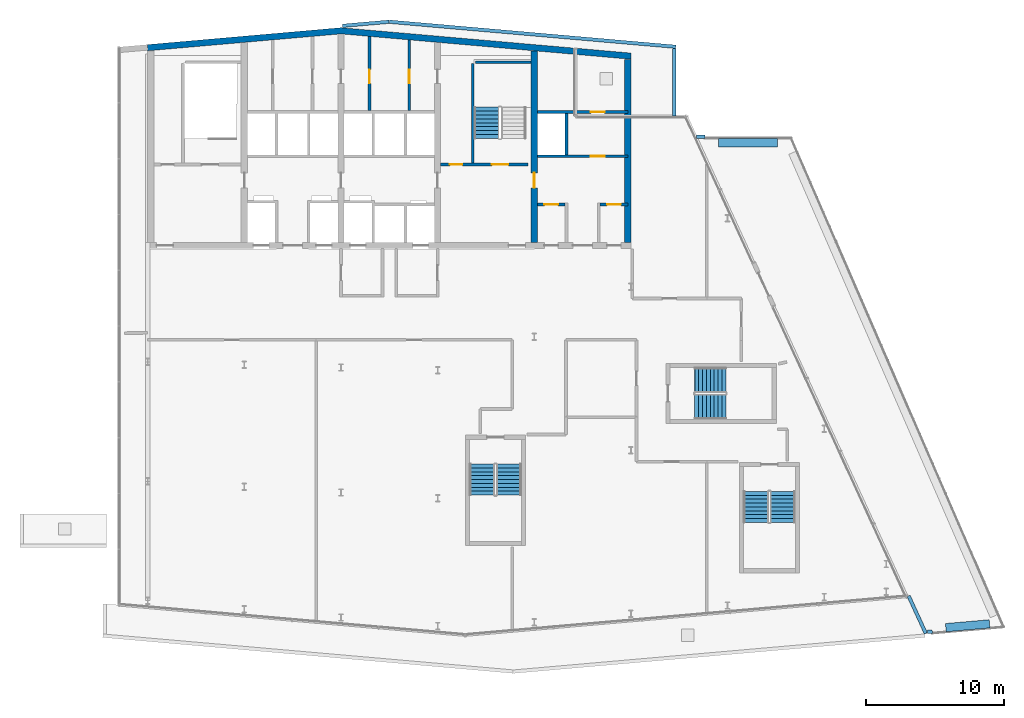
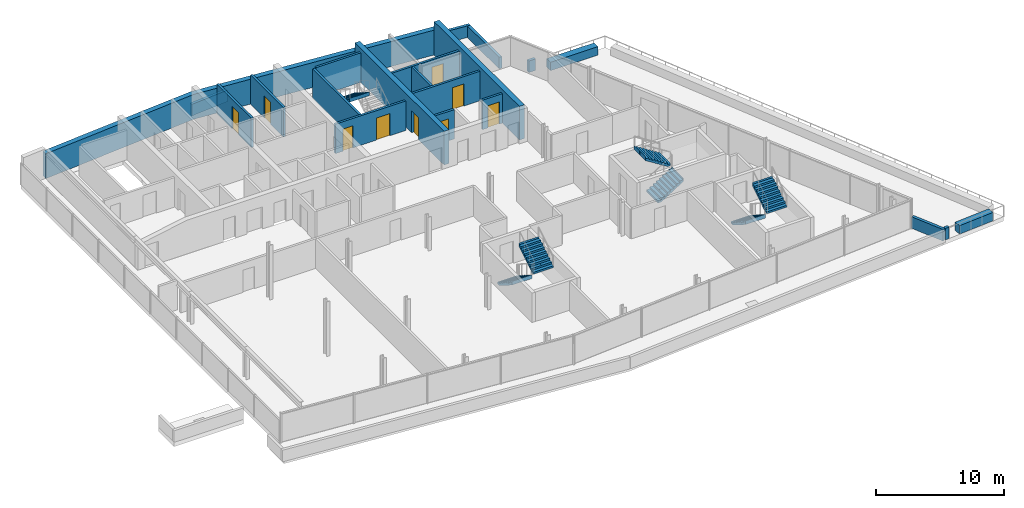
# One storey, part 13 of 17: 21 walls, 9 doors, 7 stair flights, 9 openings, 4 elements without a shape of their own.
"""IFC4 building model written with IfcOpenShell, lengths in metres."""

from ifc_helpers import new_model, si_unit, direction, frame, frame_2d, origin, place, context, subcontext, project, spatial, polyline, rectangle, outline, extrude, material, layer, layer_set, type_object, element, fill, aggregate, save


model = new_model("IFC4")

# Units and contexts
model_context = context("Model", 3, precision=1e-05, world=origin(), true_north=direction((0.0, 1.0)))
body_context = subcontext(model_context, "Body", "Model", "MODEL_VIEW")
ifc_project = project(units=[si_unit("LENGTHUNIT", "METRE"), si_unit("AREAUNIT", "SQUARE_METRE"), si_unit("VOLUMEUNIT", "CUBIC_METRE"), si_unit("PLANEANGLEUNIT", "RADIAN"), si_unit("MASSUNIT", "GRAM", prefix="KILO")], contexts=[model_context])

# Site, building, storey
site_placement = place(None, origin())
site = spatial("IfcSite", under=ifc_project, at=site_placement, CompositionType="ELEMENT")
building_placement = place(site_placement, origin())
building = spatial("IfcBuilding", under=site, at=building_placement, Name="Wharfspan Tower", CompositionType="ELEMENT")
storey_placement = place(building_placement, frame((0.0, 0.0, 261.100098)))
storey = spatial("IfcBuildingStorey", under=building, at=storey_placement, Name="L66", CompositionType="ELEMENT", Elevation=261.100098)

# Wall, opening, door
ifc_material_1 = material(Name="Calcium silicate masonry", Category="masonry")
ifc_layer_1 = layer(ifc_material_1, 0.199951)
ifc_layer_set_1 = layer_set([ifc_layer_1], Name="Calcium silicate masonry")
wall_type_1 = type_object("IfcWallType", Name="Core room wall 200", PredefinedType="PARTITIONING", material=ifc_layer_set_1)
wall_1_placement = place(storey_placement, frame((39.059082, 44.0, 0.0), z_axis=(0.0, 0.0, 1.0), x_axis=(0.0, 1.0, 0.0)))
wall_1 = element("IfcWall", 1, at=wall_1_placement, inside=storey, type_object=wall_type_1, Name="sw:L66:RP4.1", PredefinedType="PARTITIONING", context=body_context, shape_type="SweptSolid", body=[
    extrude(rectangle(XDim=5.360352, YDim=0.199951, at=frame_2d((2.680176, 0.0))), origin(), (0.0, 0.0, 1.0), 2.799805),
])
opening_1_placement = place(wall_1_placement, frame((1.973877, 0.0, 0.0)))
opening_1 = element("IfcOpeningElement", 2, at=opening_1_placement, cuts=wall_1, Name="Opening CD66.4P1", PredefinedType="OPENING", context=body_context, shape_type="SweptSolid", body=[
    extrude(rectangle(XDim=1.0, YDim=2.100098, at=frame_2d((0.5, 1.050049))), frame((0.0, 0.109863, 0.0), z_axis=(0.0, -1.0, 0.0), x_axis=(1.0, 0.0, 0.0)), (0.0, 0.0, 1.0), 0.219971),
])
ifc_material_2 = material(Name="Steel door leaf", Category="steel")
door_type_1 = type_object("IfcDoorType", Name="Core room door 1000x2100", OperationType="SINGLE_SWING_LEFT", PredefinedType="DOOR", material=ifc_material_2)
door_1_placement = place(opening_1_placement, origin())
door_1 = element("IfcDoor", 3, at=door_1_placement, inside=storey, type_object=door_type_1, Name="d:L66:4:rp1", OperationType="SINGLE_SWING_LEFT", OverallHeight=2.100098, OverallWidth=1.0, PredefinedType="DOOR", context=body_context, shape_type="SweptSolid", body=[
    extrude(rectangle(XDim=1.0, YDim=2.100098, at=frame_2d((0.5, 1.050049))), frame((0.0, 0.024902, 0.0), z_axis=(0.0, -1.0, 0.0), x_axis=(1.0, 0.0, 0.0)), (0.0, 0.0, 1.0), 0.050049),
])
fill(opening_1, door_1)

wall_2_placement = place(storey_placement, frame((41.940918, 44.0, 0.0), z_axis=(0.0, 0.0, 1.0), x_axis=(0.0, 1.0, 0.0)))
wall_2 = element("IfcWall", 4, at=wall_2_placement, inside=storey, type_object=wall_type_1, Name="sw:L66:RP4.2", PredefinedType="PARTITIONING", context=body_context, shape_type="SweptSolid", body=[
    extrude(rectangle(XDim=5.108154, YDim=0.199951, at=frame_2d((2.554199, 0.0))), origin(), (0.0, 0.0, 1.0), 2.799805),
])
opening_2_placement = place(wall_2_placement, frame((1.973877, 0.0, 0.0)))
opening_2 = element("IfcOpeningElement", 5, at=opening_2_placement, cuts=wall_2, Name="Opening CD66.4P2", PredefinedType="OPENING", context=body_context, shape_type="SweptSolid", body=[
    extrude(rectangle(XDim=1.0, YDim=2.100098, at=frame_2d((0.5, 1.050049))), frame((0.0, 0.109863, 0.0), z_axis=(0.0, -1.0, 0.0), x_axis=(1.0, 0.0, 0.0)), (0.0, 0.0, 1.0), 0.219971),
])
door_2_placement = place(opening_2_placement, origin())
door_2 = element("IfcDoor", 6, at=door_2_placement, inside=storey, type_object=door_type_1, Name="d:L66:4:rp2", OperationType="SINGLE_SWING_LEFT", OverallHeight=2.100098, OverallWidth=1.0, PredefinedType="DOOR", context=body_context, shape_type="SweptSolid", body=[
    extrude(rectangle(XDim=1.0, YDim=2.100098, at=frame_2d((0.5, 1.050049))), frame((0.0, 0.024902, 0.0), z_axis=(0.0, -1.0, 0.0), x_axis=(1.0, 0.0, 0.0)), (0.0, 0.0, 1.0), 0.050049),
])
fill(opening_2, door_2)

wall_3_placement = place(storey_placement, frame((51.225098, 37.199951, 0.0), z_axis=(0.0, 0.0, 1.0), x_axis=(1.0, 0.0, 0.0)))
wall_3 = element("IfcWall", 7, at=wall_3_placement, inside=storey, type_object=wall_type_1, Name="sw:L66:FR6.1", PredefinedType="PARTITIONING", context=body_context, shape_type="SweptSolid", body=[
    extrude(rectangle(XDim=2.008301, YDim=0.199951, at=frame_2d((1.00415, 0.0))), origin(), (0.0, 0.0, 1.0), 2.799805),
])
opening_3_placement = place(wall_3_placement, frame((0.50415, 0.0, 0.0)))
opening_3 = element("IfcOpeningElement", 8, at=opening_3_placement, cuts=wall_3, Name="Opening CD66.6H1", PredefinedType="OPENING", context=body_context, shape_type="SweptSolid", body=[
    extrude(rectangle(XDim=1.0, YDim=2.100098, at=frame_2d((0.5, 1.050049))), frame((0.0, 0.109863, 0.0), z_axis=(0.0, -1.0, 0.0), x_axis=(1.0, 0.0, 0.0)), (0.0, 0.0, 1.0), 0.219971),
])
door_3_placement = place(opening_3_placement, origin())
door_3 = element("IfcDoor", 9, at=door_3_placement, inside=storey, type_object=door_type_1, Name="d:L66:6:fh6.1", OperationType="SINGLE_SWING_RIGHT", OverallHeight=2.100098, OverallWidth=1.0, PredefinedType="DOOR", context=body_context, shape_type="SweptSolid", body=[
    extrude(rectangle(XDim=1.0, YDim=2.100098, at=frame_2d((0.5, 1.050049))), frame((0.0, 0.024902, 0.0), z_axis=(0.0, -1.0, 0.0), x_axis=(1.0, 0.0, 0.0)), (0.0, 0.0, 1.0), 0.050049),
])
fill(opening_3, door_3)

wall_4_placement = place(storey_placement, frame((55.766602, 37.199951, 0.0), z_axis=(0.0, 0.0, 1.0), x_axis=(1.0, 0.0, 0.0)))
wall_4 = element("IfcWall", 10, at=wall_4_placement, inside=storey, type_object=wall_type_1, Name="sw:L66:FR6.3", PredefinedType="PARTITIONING", context=body_context, shape_type="SweptSolid", body=[
    extrude(rectangle(XDim=2.008301, YDim=0.199951, at=frame_2d((1.00415, 0.0))), origin(), (0.0, 0.0, 1.0), 2.799805),
])
opening_4_placement = place(wall_4_placement, frame((0.50415, 0.0, 0.0)))
opening_4 = element("IfcOpeningElement", 11, at=opening_4_placement, cuts=wall_4, Name="Opening CD66.6H3", PredefinedType="OPENING", context=body_context, shape_type="SweptSolid", body=[
    extrude(rectangle(XDim=1.0, YDim=2.100098, at=frame_2d((0.5, 1.050049))), frame((0.0, 0.109863, 0.0), z_axis=(0.0, -1.0, 0.0), x_axis=(1.0, 0.0, 0.0)), (0.0, 0.0, 1.0), 0.219971),
])
door_4_placement = place(opening_4_placement, origin())
door_4 = element("IfcDoor", 12, at=door_4_placement, inside=storey, type_object=door_type_1, Name="d:L66:6:fh6.3", OperationType="SINGLE_SWING_RIGHT", OverallHeight=2.100098, OverallWidth=1.0, PredefinedType="DOOR", context=body_context, shape_type="SweptSolid", body=[
    extrude(rectangle(XDim=1.0, YDim=2.100098, at=frame_2d((0.5, 1.050049))), frame((0.0, 0.024902, 0.0), z_axis=(0.0, -1.0, 0.0), x_axis=(1.0, 0.0, 0.0)), (0.0, 0.0, 1.0), 0.050049),
])
fill(opening_4, door_4)

# Wall
ifc_material_3 = material(Name="Concrete C50/60", Category="concrete")
ifc_layer_2 = layer(ifc_material_3, 0.449951)
ifc_layer_set_2 = layer_set([ifc_layer_2], Name="Concrete C50/60")
wall_type_2 = type_object("IfcWallType", Name="Core wall 450 C50/60", PredefinedType="SHEAR", material=ifc_layer_set_2)
wall_5_placement = place(storey_placement, frame((0.0, 0.0, -0.000244)))
element("IfcWall", 13, at=wall_5_placement, inside=storey, type_object=wall_type_2, Name="Core rear wall L66", PredefinedType="SHEAR", context=body_context, shape_type="SweptSolid", body=[
    extrude(outline(polyline([(23.0, 48.335693), (37.0, 49.560547), (58.0, 47.723389), (58.0, 48.175049), (37.0, 50.012207), (23.0, 48.787354), (23.0, 48.335693)])), origin(), (0.0, 0.0, 1.0), 2.365723),
])

# Wall, opening, door
wall_6_placement = place(storey_placement, frame((51.0, 34.449951, 0.0), z_axis=(0.0, 0.0, 1.0), x_axis=(0.0, 1.0, 0.0)))
wall_6 = element("IfcWall", 14, at=wall_6_placement, inside=storey, type_object=wall_type_2, Name="Core cross wall X6 L66", PredefinedType="SHEAR", context=body_context, shape_type="SweptSolid", body=[
    extrude(rectangle(XDim=13.865967, YDim=0.449951, at=frame_2d((6.933105, 0.0))), origin(), (0.0, 0.0, 1.0), 3.199951),
])
opening_5_placement = place(wall_6_placement, frame((3.949951, 0.0, 0.0)))
opening_5 = element("IfcOpeningElement", 15, at=opening_5_placement, cuts=wall_6, Name="Opening CC66.6", PredefinedType="OPENING", context=body_context, shape_type="SweptSolid", body=[
    extrude(rectangle(XDim=1.100098, YDim=2.100098, at=frame_2d((0.550049, 1.050049))), frame((0.0, 0.234863, 0.0), z_axis=(0.0, -1.0, 0.0), x_axis=(1.0, 0.0, 0.0)), (0.0, 0.0, 1.0), 0.469971),
])
door_type_2 = type_object("IfcDoorType", Name="Core corridor door 1100x2100", OperationType="SINGLE_SWING_LEFT", PredefinedType="DOOR", material=ifc_material_2)
door_5_placement = place(opening_5_placement, origin())
door_5 = element("IfcDoor", 16, at=door_5_placement, inside=storey, type_object=door_type_2, Name="xd:L66:6", OperationType="SINGLE_SWING_RIGHT", OverallHeight=2.100098, OverallWidth=1.100098, PredefinedType="DOOR", context=body_context, shape_type="SweptSolid", body=[
    extrude(rectangle(XDim=1.100098, YDim=2.100098, at=frame_2d((0.550049, 1.050049))), frame((0.0, 0.024902, 0.0), z_axis=(0.0, -1.0, 0.0), x_axis=(1.0, 0.0, 0.0)), (0.0, 0.0, 1.0), 0.050049),
])
fill(opening_5, door_5)

# Wall
wall_7_placement = place(storey_placement, frame((57.774902, 34.449951, 0.0), z_axis=(0.0, 0.0, 1.0), x_axis=(0.0, 1.0, 0.0)))
element("IfcWall", 17, at=wall_7_placement, inside=storey, type_object=wall_type_2, Name="Core cross wall EW1 L66", PredefinedType="SHEAR", context=body_context, shape_type="SweptSolid", body=[
    extrude(rectangle(XDim=13.273193, YDim=0.449951, at=frame_2d((6.636719, 0.0))), origin(), (0.0, 0.0, 1.0), 3.199951),
])

# Wall, opening, door
ifc_material_4 = material(Name="Concrete C30/37", Category="concrete")
ifc_layer_3 = layer(ifc_material_4, 0.199951)
ifc_layer_set_3 = layer_set([ifc_layer_3], Name="Concrete C30/37")
wall_type_3 = type_object("IfcWallType", Name="Lift shaft wall 200", PredefinedType="PARTITIONING", material=ifc_layer_set_3)
wall_8_placement = place(storey_placement, frame((51.225098, 40.699951, 0.0), z_axis=(0.0, 0.0, 1.0), x_axis=(1.0, 0.0, 0.0)))
wall_8 = element("IfcWall", 18, at=wall_8_placement, inside=storey, type_object=wall_type_3, Name="sw:L66:RF6", PredefinedType="PARTITIONING", context=body_context, shape_type="SweptSolid", body=[
    extrude(rectangle(XDim=6.549805, YDim=0.199951, at=frame_2d((3.274902, 0.0))), origin(), (0.0, 0.0, 1.0), 2.799805),
])
opening_6_placement = place(wall_8_placement, frame((3.87915, 0.0, 0.0)))
opening_6 = element("IfcOpeningElement", 19, at=opening_6_placement, cuts=wall_8, Name="Opening CD66.6R2", PredefinedType="OPENING", context=body_context, shape_type="SweptSolid", body=[
    extrude(rectangle(XDim=1.0, YDim=2.100098, at=frame_2d((0.5, 1.050049))), frame((0.0, 0.109863, 0.0), z_axis=(0.0, -1.0, 0.0), x_axis=(1.0, 0.0, 0.0)), (0.0, 0.0, 1.0), 0.219971),
])
door_6_placement = place(opening_6_placement, origin())
door_6 = element("IfcDoor", 20, at=door_6_placement, inside=storey, type_object=door_type_1, Name="d:L66:6:rd6.2", OperationType="SINGLE_SWING_RIGHT", OverallHeight=2.100098, OverallWidth=1.0, PredefinedType="DOOR", context=body_context, shape_type="SweptSolid", body=[
    extrude(rectangle(XDim=1.0, YDim=2.100098, at=frame_2d((0.5, 1.050049))), frame((0.0, 0.024902, 0.0), z_axis=(0.0, -1.0, 0.0), x_axis=(1.0, 0.0, 0.0)), (0.0, 0.0, 1.0), 0.050049),
])
fill(opening_6, door_6)

wall_9_placement = place(storey_placement, frame((51.225098, 43.899902, 0.0), z_axis=(0.0, 0.0, 1.0), x_axis=(1.0, 0.0, 0.0)))
wall_9 = element("IfcWall", 21, at=wall_9_placement, inside=storey, type_object=wall_type_3, Name="sw:L66:RR6", PredefinedType="PARTITIONING", context=body_context, shape_type="SweptSolid", body=[
    extrude(rectangle(XDim=6.549805, YDim=0.199951, at=frame_2d((3.274902, 0.0))), origin(), (0.0, 0.0, 1.0), 2.799805),
])
opening_7_placement = place(wall_9_placement, frame((3.87915, 0.0, 0.0)))
opening_7 = element("IfcOpeningElement", 22, at=opening_7_placement, cuts=wall_9, Name="Opening CD66.6S2", PredefinedType="OPENING", context=body_context, shape_type="SweptSolid", body=[
    extrude(rectangle(XDim=1.0, YDim=2.100098, at=frame_2d((0.5, 1.050049))), frame((0.0, 0.109863, 0.0), z_axis=(0.0, -1.0, 0.0), x_axis=(1.0, 0.0, 0.0)), (0.0, 0.0, 1.0), 0.219971),
])
door_7_placement = place(opening_7_placement, origin())
door_7 = element("IfcDoor", 23, at=door_7_placement, inside=storey, type_object=door_type_1, Name="d:L66:6:rs6.2", OperationType="SINGLE_SWING_LEFT", OverallHeight=2.100098, OverallWidth=1.0, PredefinedType="DOOR", context=body_context, shape_type="SweptSolid", body=[
    extrude(rectangle(XDim=1.0, YDim=2.100098, at=frame_2d((0.5, 1.050049))), frame((0.0, 0.024902, 0.0), z_axis=(0.0, -1.0, 0.0), x_axis=(1.0, 0.0, 0.0)), (0.0, 0.0, 1.0), 0.050049),
])
fill(opening_7, door_7)

# Walls
wall_10_placement = place(storey_placement, frame((0.0, 0.0, -0.000244)))
element("IfcWall", 24, at=wall_10_placement, inside=storey, type_object=wall_type_3, Name="sw:L66:RM6.0", PredefinedType="PARTITIONING", context=body_context, shape_type="SweptSolid", body=[
    extrude(outline(polyline([(53.43335, 40.800049), (53.43335, 43.800049), (53.233398, 43.800049), (53.233398, 40.800049), (53.43335, 40.800049)])), origin(), (0.0, 0.0, 1.0), 2.800049),
])
ifc_material_5 = material(Name="Concrete C40/50", Category="concrete")
ifc_layer_4 = layer(ifc_material_5, 0.25)
ifc_layer_set_4 = layer_set([ifc_layer_4], Name="Concrete C40/50")
wall_type_4 = type_object("IfcWallType", Name="PARAPET CONCRETE 250", PredefinedType="PARAPET", material=ifc_layer_set_4)
wall_11_placement = place(storey_placement, frame((78.113525, 8.852051, 0.0), z_axis=(0.0, 0.0, 1.0), x_axis=(0.417352, -0.908745, 0.0)))
element("IfcWall", 25, at=wall_11_placement, inside=storey, type_object=wall_type_4, Name="Ledge parapet", PredefinedType="PARAPET", context=body_context, shape_type="SweptSolid", body=[
    extrude(rectangle(XDim=2.977539, YDim=0.25, at=frame_2d((1.48877, 0.0))), origin(), (0.0, 0.0, 1.0), 1.099854),
])
wall_12_placement = place(storey_placement, frame((40.5, 50.443848, 0.0), z_axis=(0.0, 0.0, 1.0), x_axis=(0.996195, -0.087148, 0.0)))
element("IfcWall", 26, at=wall_12_placement, inside=storey, type_object=wall_type_4, Name="Ledge parapet", PredefinedType="PARAPET", context=body_context, shape_type="SweptSolid", body=[
    extrude(rectangle(XDim=20.828857, YDim=0.25, at=frame_2d((10.414551, 0.0))), origin(), (0.0, 0.0, 1.0), 1.099854),
])
wall_13_placement = place(storey_placement, frame((61.125, 48.504395, 0.0), z_axis=(0.0, 0.0, 1.0), x_axis=(0.0, -1.0, 0.0)))
element("IfcWall", 27, at=wall_13_placement, inside=storey, type_object=wall_type_4, Name="Ledge parapet", PredefinedType="PARAPET", context=body_context, shape_type="SweptSolid", body=[
    extrude(rectangle(XDim=4.904297, YDim=0.25, at=frame_2d((2.452148, 0.0))), origin(), (0.0, 0.0, 1.0), 1.099854),
])
wall_14_placement = place(storey_placement, frame((37.10376, 50.146729, 0.0), z_axis=(0.0, 0.0, 1.0), x_axis=(0.99619, 0.0872, 0.0)))
element("IfcWall", 28, at=wall_14_placement, inside=storey, type_object=wall_type_4, Name="Ledge parapet", PredefinedType="PARAPET", context=body_context, shape_type="SweptSolid", body=[
    extrude(rectangle(XDim=3.379395, YDim=0.25, at=frame_2d((1.689697, 0.0))), origin(), (0.0, 0.0, 1.0), 1.099854),
])
wall_15_placement = place(storey_placement, frame((62.755127, 42.125, 0.0), z_axis=(0.0, 0.0, 1.0), x_axis=(1.0, 0.0, 0.0)))
element("IfcWall", 29, at=wall_15_placement, inside=storey, type_object=wall_type_4, Name="Ledge parapet", PredefinedType="PARAPET", context=body_context, shape_type="SweptSolid", body=[
    extrude(rectangle(XDim=0.599854, YDim=0.25, at=frame_2d((0.299805, 0.0))), origin(), (0.0, 0.0, 1.0), 1.099854),
])
wall_16_placement = place(storey_placement, frame((79.469727, 6.241699, 0.0), z_axis=(0.0, 0.0, 1.0), x_axis=(0.996223, 0.086805, 0.0)))
element("IfcWall", 30, at=wall_16_placement, inside=storey, type_object=wall_type_4, Name="Ledge parapet", PredefinedType="PARAPET", context=body_context, shape_type="SweptSolid", body=[
    extrude(rectangle(XDim=0.360107, YDim=0.25, at=frame_2d((0.180176, 0.0))), origin(), (0.0, 0.0, 1.0), 1.099854),
])
ifc_layer_5 = layer(ifc_material_5, 0.600098)
ifc_layer_set_5 = layer_set([ifc_layer_5], Name="Concrete C40/50")
wall_type_5 = type_object("IfcWallType", Name="PLANTER CONCRETE 600", PredefinedType="SOLIDWALL", material=ifc_layer_set_5)
wall_17_placement = place(storey_placement, frame((64.35498, 41.679932, 0.0), z_axis=(0.0, 0.0, 1.0), x_axis=(1.0, 0.0, 0.0)))
element("IfcWall", 31, at=wall_17_placement, inside=storey, type_object=wall_type_5, Name="Planter", PredefinedType="SOLIDWALL", context=body_context, shape_type="SweptSolid", body=[
    extrude(rectangle(XDim=4.253662, YDim=0.600098, at=frame_2d((2.126953, 0.0))), origin(), (0.0, 0.0, 1.0), 0.799805),
])
wall_18_placement = place(storey_placement, frame((83.97583, 6.831543, 0.0), z_axis=(0.0, 0.0, 1.0), x_axis=(-0.996199, -0.08713, 0.0)))
element("IfcWall", 32, at=wall_18_placement, inside=storey, type_object=wall_type_5, Name="Planter", PredefinedType="SOLIDWALL", context=body_context, shape_type="SweptSolid", body=[
    extrude(rectangle(XDim=3.18042, YDim=0.600098, at=frame_2d((1.590332, 0.0))), origin(), (0.0, 0.0, 1.0), 0.799805),
])

# Wall, openings, doors
ifc_layer_6 = layer(ifc_material_5, 0.199951)
ifc_layer_set_6 = layer_set([ifc_layer_6], Name="Concrete C40/50")
wall_type_6 = type_object("IfcWallType", Name="Stair shaft wall 200", PredefinedType="SHEAR", material=ifc_layer_set_6)
wall_19_placement = place(storey_placement, frame((44.225098, 40.100098, 0.0), z_axis=(0.0, 0.0, 1.0), x_axis=(1.0, 0.0, 0.0)))
wall_19 = element("IfcWall", 33, at=wall_19_placement, inside=storey, type_object=wall_type_6, Name="ST2 stair enclosure wall L66", PredefinedType="SHEAR", context=body_context, shape_type="SweptSolid", body=[
    extrude(rectangle(XDim=6.324951, YDim=0.199951, at=frame_2d((3.162598, 0.0))), origin(), (0.0, 0.0, 1.0), 2.799805),
])
opening_8_placement = place(wall_19_placement, frame((3.699951, 0.0, 0.0)))
opening_8 = element("IfcOpeningElement", 34, at=opening_8_placement, cuts=wall_19, Name="Opening SD5.L66", PredefinedType="OPENING", context=body_context, shape_type="SweptSolid", body=[
    extrude(rectangle(XDim=1.199951, YDim=2.100098, at=frame_2d((0.600098, 1.050049))), frame((0.0, 0.109863, 0.0), z_axis=(0.0, -1.0, 0.0), x_axis=(1.0, 0.0, 0.0)), (0.0, 0.0, 1.0), 0.219971),
])
opening_9_placement = place(wall_19_placement, frame((0.662598, 0.0, 0.0)))
opening_9 = element("IfcOpeningElement", 35, at=opening_9_placement, cuts=wall_19, Name="Opening CD66.5R", PredefinedType="OPENING", context=body_context, shape_type="SweptSolid", body=[
    extrude(rectangle(XDim=0.899902, YDim=2.100098, at=frame_2d((0.449951, 1.050049))), frame((0.0, 0.109863, 0.0), z_axis=(0.0, -1.0, 0.0), x_axis=(1.0, 0.0, 0.0)), (0.0, 0.0, 1.0), 0.219971),
])
door_8_placement = place(opening_9_placement, origin())
door_8 = element("IfcDoor", 36, at=door_8_placement, inside=storey, type_object=door_type_1, Name="rk:L66:5", OperationType="SINGLE_SWING_LEFT", OverallHeight=2.100098, OverallWidth=0.899902, PredefinedType="DOOR", context=body_context, shape_type="SweptSolid", body=[
    extrude(rectangle(XDim=0.899902, YDim=2.100098, at=frame_2d((0.449951, 1.050049))), frame((0.0, 0.024902, 0.0), z_axis=(0.0, -1.0, 0.0), x_axis=(1.0, 0.0, 0.0)), (0.0, 0.0, 1.0), 0.050049),
])
fill(opening_9, door_8)
door_type_3 = type_object("IfcDoorType", Name="Stair door 1200x2100", OperationType="SINGLE_SWING_LEFT", PredefinedType="DOOR", material=ifc_material_2)
door_9_placement = place(opening_8_placement, origin())
door_9 = element("IfcDoor", 37, at=door_9_placement, inside=storey, type_object=door_type_3, Name="sd:L66:5", OperationType="SINGLE_SWING_RIGHT", OverallHeight=2.100098, OverallWidth=1.199951, PredefinedType="DOOR", context=body_context, shape_type="SweptSolid", body=[
    extrude(rectangle(XDim=1.199951, YDim=2.100098, at=frame_2d((0.600098, 1.050049))), frame((0.0, 0.024902, 0.0), z_axis=(0.0, -1.0, 0.0), x_axis=(1.0, 0.0, 0.0)), (0.0, 0.0, 1.0), 0.050049),
])
fill(opening_8, door_9)

# Walls
wall_20_placement = place(storey_placement, frame((46.550049, 40.199951, 0.0), z_axis=(0.0, 0.0, 1.0), x_axis=(0.0, 1.0, 0.0)))
element("IfcWall", 38, at=wall_20_placement, inside=storey, type_object=wall_type_6, Name="ST2 stair enclosure wall L66", PredefinedType="SHEAR", context=body_context, shape_type="SweptSolid", body=[
    extrude(rectangle(XDim=7.199951, YDim=0.199951, at=frame_2d((3.600098, 0.0))), origin(), (0.0, 0.0, 1.0), 2.799805),
])
wall_21_placement = place(storey_placement, frame((46.75, 47.5, 0.0), z_axis=(0.0, 0.0, 1.0), x_axis=(1.0, 0.0, 0.0)))
element("IfcWall", 39, at=wall_21_placement, inside=storey, type_object=wall_type_6, Name="ST2 stair enclosure wall L66", PredefinedType="SHEAR", context=body_context, shape_type="SweptSolid", body=[
    extrude(rectangle(XDim=4.024902, YDim=0.199951, at=frame_2d((2.012451, 0.0))), origin(), (0.0, 0.0, 1.0), 2.799805),
])

# Stair, stair flight
stair_type = type_object("IfcStairType", Name="Half-turn stair 18 risers 178 mm", PredefinedType="HALF_TURN_STAIR", material=ifc_material_5)
stair_1_placement = place(storey_placement, origin())
stair_1 = element("IfcStair", 40, at=stair_1_placement, inside=storey, type_object=stair_type, Name="L66 stair ST2", PredefinedType="HALF_TURN_STAIR")
stair_flight_type = type_object("IfcStairFlightType", Name="Stair flight 18 risers 178 mm", PredefinedType="STRAIGHT", material=ifc_material_5)
stair_flight_1_placement = place(storey_placement, frame((47.550049, 44.23999, 1.599854), z_axis=(0.0, 0.0, 1.0), x_axis=(0.0, -1.0, 0.0)))
stair_flight_1 = element("IfcStairFlight", 41, at=stair_flight_1_placement, type_object=stair_flight_type, Name="ST2 flight 2", NumberOfRisers=9, NumberOfTreads=8, PredefinedType="STRAIGHT", RiserHeight=0.177778, TreadLength=0.28, context=body_context, shape_type="SweptSolid", body=[
    extrude(outline(polyline([(-0.011963, 0.0), (-0.011963, 0.177734), (0.0, 0.177734), (0.280029, 0.177734), (0.280029, 0.355469), (0.560059, 0.355469), (0.560059, 0.533447), (0.840088, 0.533447), (0.840088, 0.711182), (1.120117, 0.711182), (1.120117, 0.888916), (1.399902, 0.888916), (1.399902, 1.06665), (1.679932, 1.06665), (1.679932, 1.244385), (1.959961, 1.244385), (1.959961, 1.422119), (2.23999, 1.422119), (2.251953, 1.600098), (2.251953, 1.244629), (0.279785, 0.0), (-0.011963, 0.0)])), frame((0.0, 0.899902, 0.0), z_axis=(0.0, -1.0, 0.0), x_axis=(1.0, 0.0, 0.0)), (0.0, 0.0, 1.0), 0.899414),
    extrude(outline(polyline([(-0.011963, 0.0), (-0.011963, 0.177734), (0.0, 0.177734), (0.280029, 0.177734), (0.280029, 0.355469), (0.560059, 0.355469), (0.560059, 0.533447), (0.840088, 0.533447), (0.840088, 0.711182), (1.120117, 0.711182), (1.120117, 0.888916), (1.399902, 0.888916), (1.399902, 1.06665), (1.679932, 1.06665), (1.679932, 1.244385), (1.959961, 1.244385), (1.959961, 1.422119), (2.23999, 1.422119), (2.251953, 1.600098), (2.251953, 1.244629), (0.279785, 0.0), (-0.011963, 0.0)])), frame((0.0, -0.000488, 0.0), z_axis=(0.0, -1.0, 0.0), x_axis=(1.0, 0.0, 0.0)), (0.0, 0.0, 1.0), 0.899414),
])
aggregate(stair_1, [stair_flight_1])

# Stair, stair flights
stair_2_placement = place(storey_placement, origin())
stair_2 = element("IfcStair", 42, at=stair_2_placement, inside=storey, type_object=stair_type, Name="L66 stair ST7", PredefinedType="HALF_TURN_STAIR")
stair_flight_2_placement = place(storey_placement, frame((67.056641, 16.421631, 0.0), z_axis=(0.0, 0.0, 1.0), x_axis=(0.0, -1.0, 0.0)))
stair_flight_2 = element("IfcStairFlight", 43, at=stair_flight_2_placement, type_object=stair_flight_type, Name="ST7 flight 1", NumberOfRisers=9, NumberOfTreads=8, PredefinedType="STRAIGHT", RiserHeight=0.177778, TreadLength=0.28, context=body_context, shape_type="SweptSolid", body=[
    extrude(outline(polyline([(-0.011963, 0.0), (-0.011963, 0.177734), (0.0, 0.177734), (0.280029, 0.177734), (0.280029, 0.355469), (0.560059, 0.355469), (0.560059, 0.533447), (0.840088, 0.533447), (0.840088, 0.711182), (1.120117, 0.711182), (1.120117, 0.888916), (1.399902, 0.888916), (1.399902, 1.06665), (1.679932, 1.06665), (1.679932, 1.244385), (1.959961, 1.244385), (1.959961, 1.422119), (2.23999, 1.422119), (2.251953, 1.600098), (2.251953, 1.244629), (0.279785, 0.0), (-0.011963, 0.0)])), frame((0.0, 0.899902, 0.0), z_axis=(0.0, -1.0, 0.0), x_axis=(1.0, 0.0, 0.0)), (0.0, 0.0, 1.0), 0.899414),
    extrude(outline(polyline([(-0.011963, 0.0), (-0.011963, 0.177734), (0.0, 0.177734), (0.280029, 0.177734), (0.280029, 0.355469), (0.560059, 0.355469), (0.560059, 0.533447), (0.840088, 0.533447), (0.840088, 0.711182), (1.120117, 0.711182), (1.120117, 0.888916), (1.399902, 0.888916), (1.399902, 1.06665), (1.679932, 1.06665), (1.679932, 1.244385), (1.959961, 1.244385), (1.959961, 1.422119), (2.23999, 1.422119), (2.251953, 1.600098), (2.251953, 1.244629), (0.279785, 0.0), (-0.011963, 0.0)])), frame((0.0, -0.000488, 0.0), z_axis=(0.0, -1.0, 0.0), x_axis=(1.0, 0.0, 0.0)), (0.0, 0.0, 1.0), 0.899414),
])
stair_flight_3_placement = place(storey_placement, frame((69.006592, 14.181641, 1.599854), z_axis=(0.0, 0.0, 1.0), x_axis=(0.0, 1.0, 0.0)))
stair_flight_3 = element("IfcStairFlight", 44, at=stair_flight_3_placement, type_object=stair_flight_type, Name="ST7 flight 2", NumberOfRisers=9, NumberOfTreads=8, PredefinedType="STRAIGHT", RiserHeight=0.177778, TreadLength=0.28, context=body_context, shape_type="SweptSolid", body=[
    extrude(outline(polyline([(-0.011963, 0.0), (-0.011963, 0.177734), (0.0, 0.177734), (0.280029, 0.177734), (0.280029, 0.355469), (0.560059, 0.355469), (0.560059, 0.533447), (0.840088, 0.533447), (0.840088, 0.711182), (1.120117, 0.711182), (1.120117, 0.888916), (1.399902, 0.888916), (1.399902, 1.06665), (1.679932, 1.06665), (1.679932, 1.244385), (1.959961, 1.244385), (1.959961, 1.422119), (2.23999, 1.422119), (2.251953, 1.600098), (2.251953, 1.244629), (0.279785, 0.0), (-0.011963, 0.0)])), frame((0.0, 0.899902, 0.0), z_axis=(0.0, -1.0, 0.0), x_axis=(1.0, 0.0, 0.0)), (0.0, 0.0, 1.0), 0.899414),
    extrude(outline(polyline([(-0.011963, 0.0), (-0.011963, 0.177734), (0.0, 0.177734), (0.280029, 0.177734), (0.280029, 0.355469), (0.560059, 0.355469), (0.560059, 0.533447), (0.840088, 0.533447), (0.840088, 0.711182), (1.120117, 0.711182), (1.120117, 0.888916), (1.399902, 0.888916), (1.399902, 1.06665), (1.679932, 1.06665), (1.679932, 1.244385), (1.959961, 1.244385), (1.959961, 1.422119), (2.23999, 1.422119), (2.251953, 1.600098), (2.251953, 1.244629), (0.279785, 0.0), (-0.011963, 0.0)])), frame((0.0, -0.000488, 0.0), z_axis=(0.0, -1.0, 0.0), x_axis=(1.0, 0.0, 0.0)), (0.0, 0.0, 1.0), 0.899414),
])
aggregate(stair_2, [stair_flight_2, stair_flight_3])

stair_3_placement = place(storey_placement, origin())
stair_3 = element("IfcStair", 45, at=stair_3_placement, inside=storey, type_object=stair_type, Name="L66 stair ST8", PredefinedType="HALF_TURN_STAIR")
stair_flight_4_placement = place(storey_placement, frame((62.631592, 22.546631, 0.0), z_axis=(0.0, 0.0, 1.0), x_axis=(1.0, 0.0, 0.0)))
stair_flight_4 = element("IfcStairFlight", 46, at=stair_flight_4_placement, type_object=stair_flight_type, Name="ST8 flight 1", NumberOfRisers=9, NumberOfTreads=8, PredefinedType="STRAIGHT", RiserHeight=0.177778, TreadLength=0.28, context=body_context, shape_type="SweptSolid", body=[
    extrude(outline(polyline([(-0.011963, 0.0), (-0.011963, 0.177734), (0.0, 0.177734), (0.280029, 0.177734), (0.280029, 0.355469), (0.560059, 0.355469), (0.560059, 0.533447), (0.840088, 0.533447), (0.840088, 0.711182), (1.120117, 0.711182), (1.120117, 0.888916), (1.399902, 0.888916), (1.399902, 1.06665), (1.679932, 1.06665), (1.679932, 1.244385), (1.959961, 1.244385), (1.959961, 1.422119), (2.23999, 1.422119), (2.251953, 1.600098), (2.251953, 1.244629), (0.279785, 0.0), (-0.011963, 0.0)])), frame((0.0, 0.899902, 0.0), z_axis=(0.0, -1.0, 0.0), x_axis=(1.0, 0.0, 0.0)), (0.0, 0.0, 1.0), 0.899414),
    extrude(outline(polyline([(-0.011963, 0.0), (-0.011963, 0.177734), (0.0, 0.177734), (0.280029, 0.177734), (0.280029, 0.355469), (0.560059, 0.355469), (0.560059, 0.533447), (0.840088, 0.533447), (0.840088, 0.711182), (1.120117, 0.711182), (1.120117, 0.888916), (1.399902, 0.888916), (1.399902, 1.06665), (1.679932, 1.06665), (1.679932, 1.244385), (1.959961, 1.244385), (1.959961, 1.422119), (2.23999, 1.422119), (2.251953, 1.600098), (2.251953, 1.244629), (0.279785, 0.0), (-0.011963, 0.0)])), frame((0.0, -0.000488, 0.0), z_axis=(0.0, -1.0, 0.0), x_axis=(1.0, 0.0, 0.0)), (0.0, 0.0, 1.0), 0.899414),
])
stair_flight_5_placement = place(storey_placement, frame((64.871582, 24.496826, 1.599854), z_axis=(0.0, 0.0, 1.0), x_axis=(-1.0, 0.0, 0.0)))
stair_flight_5 = element("IfcStairFlight", 47, at=stair_flight_5_placement, type_object=stair_flight_type, Name="ST8 flight 2", NumberOfRisers=9, NumberOfTreads=8, PredefinedType="STRAIGHT", RiserHeight=0.177778, TreadLength=0.28, context=body_context, shape_type="SweptSolid", body=[
    extrude(outline(polyline([(-0.011963, 0.0), (-0.011963, 0.177734), (0.0, 0.177734), (0.280029, 0.177734), (0.280029, 0.355469), (0.560059, 0.355469), (0.560059, 0.533447), (0.840088, 0.533447), (0.840088, 0.711182), (1.120117, 0.711182), (1.120117, 0.888916), (1.399902, 0.888916), (1.399902, 1.06665), (1.679932, 1.06665), (1.679932, 1.244385), (1.959961, 1.244385), (1.959961, 1.422119), (2.23999, 1.422119), (2.251953, 1.600098), (2.251953, 1.244629), (0.279785, 0.0), (-0.011963, 0.0)])), frame((0.0, 0.899902, 0.0), z_axis=(0.0, -1.0, 0.0), x_axis=(1.0, 0.0, 0.0)), (0.0, 0.0, 1.0), 0.899414),
    extrude(outline(polyline([(-0.011963, 0.0), (-0.011963, 0.177734), (0.0, 0.177734), (0.280029, 0.177734), (0.280029, 0.355469), (0.560059, 0.355469), (0.560059, 0.533447), (0.840088, 0.533447), (0.840088, 0.711182), (1.120117, 0.711182), (1.120117, 0.888916), (1.399902, 0.888916), (1.399902, 1.06665), (1.679932, 1.06665), (1.679932, 1.244385), (1.959961, 1.244385), (1.959961, 1.422119), (2.23999, 1.422119), (2.251953, 1.600098), (2.251953, 1.244629), (0.279785, 0.0), (-0.011963, 0.0)])), frame((0.0, -0.000488, 0.0), z_axis=(0.0, -1.0, 0.0), x_axis=(1.0, 0.0, 0.0)), (0.0, 0.0, 1.0), 0.899414),
])
aggregate(stair_3, [stair_flight_4, stair_flight_5])

stair_4_placement = place(storey_placement, origin())
stair_4 = element("IfcStair", 48, at=stair_4_placement, inside=storey, type_object=stair_type, Name="L66 stair ST9", PredefinedType="HALF_TURN_STAIR")
stair_flight_6_placement = place(storey_placement, frame((47.216064, 18.400391, 0.0), z_axis=(0.0, 0.0, 1.0), x_axis=(0.0, -1.0, 0.0)))
stair_flight_6 = element("IfcStairFlight", 49, at=stair_flight_6_placement, type_object=stair_flight_type, Name="ST9 flight 1", NumberOfRisers=9, NumberOfTreads=8, PredefinedType="STRAIGHT", RiserHeight=0.177778, TreadLength=0.28, context=body_context, shape_type="SweptSolid", body=[
    extrude(outline(polyline([(-0.011963, 0.0), (-0.011963, 0.177734), (0.0, 0.177734), (0.280029, 0.177734), (0.280029, 0.355469), (0.560059, 0.355469), (0.560059, 0.533447), (0.840088, 0.533447), (0.840088, 0.711182), (1.120117, 0.711182), (1.120117, 0.888916), (1.399902, 0.888916), (1.399902, 1.06665), (1.679932, 1.06665), (1.679932, 1.244385), (1.959961, 1.244385), (1.959961, 1.422119), (2.23999, 1.422119), (2.251953, 1.600098), (2.251953, 1.244629), (0.279785, 0.0), (-0.011963, 0.0)])), frame((0.0, 0.899902, 0.0), z_axis=(0.0, -1.0, 0.0), x_axis=(1.0, 0.0, 0.0)), (0.0, 0.0, 1.0), 0.899414),
    extrude(outline(polyline([(-0.011963, 0.0), (-0.011963, 0.177734), (0.0, 0.177734), (0.280029, 0.177734), (0.280029, 0.355469), (0.560059, 0.355469), (0.560059, 0.533447), (0.840088, 0.533447), (0.840088, 0.711182), (1.120117, 0.711182), (1.120117, 0.888916), (1.399902, 0.888916), (1.399902, 1.06665), (1.679932, 1.06665), (1.679932, 1.244385), (1.959961, 1.244385), (1.959961, 1.422119), (2.23999, 1.422119), (2.251953, 1.600098), (2.251953, 1.244629), (0.279785, 0.0), (-0.011963, 0.0)])), frame((0.0, -0.000488, 0.0), z_axis=(0.0, -1.0, 0.0), x_axis=(1.0, 0.0, 0.0)), (0.0, 0.0, 1.0), 0.899414),
])
stair_flight_7_placement = place(storey_placement, frame((49.166016, 16.1604, 1.599854), z_axis=(0.0, 0.0, 1.0), x_axis=(0.0, 1.0, 0.0)))
stair_flight_7 = element("IfcStairFlight", 50, at=stair_flight_7_placement, type_object=stair_flight_type, Name="ST9 flight 2", NumberOfRisers=9, NumberOfTreads=8, PredefinedType="STRAIGHT", RiserHeight=0.177778, TreadLength=0.28, context=body_context, shape_type="SweptSolid", body=[
    extrude(outline(polyline([(-0.011963, 0.0), (-0.011963, 0.177734), (0.0, 0.177734), (0.280029, 0.177734), (0.280029, 0.355469), (0.560059, 0.355469), (0.560059, 0.533447), (0.840088, 0.533447), (0.840088, 0.711182), (1.120117, 0.711182), (1.120117, 0.888916), (1.399902, 0.888916), (1.399902, 1.06665), (1.679932, 1.06665), (1.679932, 1.244385), (1.959961, 1.244385), (1.959961, 1.422119), (2.23999, 1.422119), (2.251953, 1.600098), (2.251953, 1.244629), (0.279785, 0.0), (-0.011963, 0.0)])), frame((0.0, 0.899902, 0.0), z_axis=(0.0, -1.0, 0.0), x_axis=(1.0, 0.0, 0.0)), (0.0, 0.0, 1.0), 0.899414),
    extrude(outline(polyline([(-0.011963, 0.0), (-0.011963, 0.177734), (0.0, 0.177734), (0.280029, 0.177734), (0.280029, 0.355469), (0.560059, 0.355469), (0.560059, 0.533447), (0.840088, 0.533447), (0.840088, 0.711182), (1.120117, 0.711182), (1.120117, 0.888916), (1.399902, 0.888916), (1.399902, 1.06665), (1.679932, 1.06665), (1.679932, 1.244385), (1.959961, 1.244385), (1.959961, 1.422119), (2.23999, 1.422119), (2.251953, 1.600098), (2.251953, 1.244629), (0.279785, 0.0), (-0.011963, 0.0)])), frame((0.0, -0.000488, 0.0), z_axis=(0.0, -1.0, 0.0), x_axis=(1.0, 0.0, 0.0)), (0.0, 0.0, 1.0), 0.899414),
])
aggregate(stair_4, [stair_flight_6, stair_flight_7])

save(model, "model.ifc")
